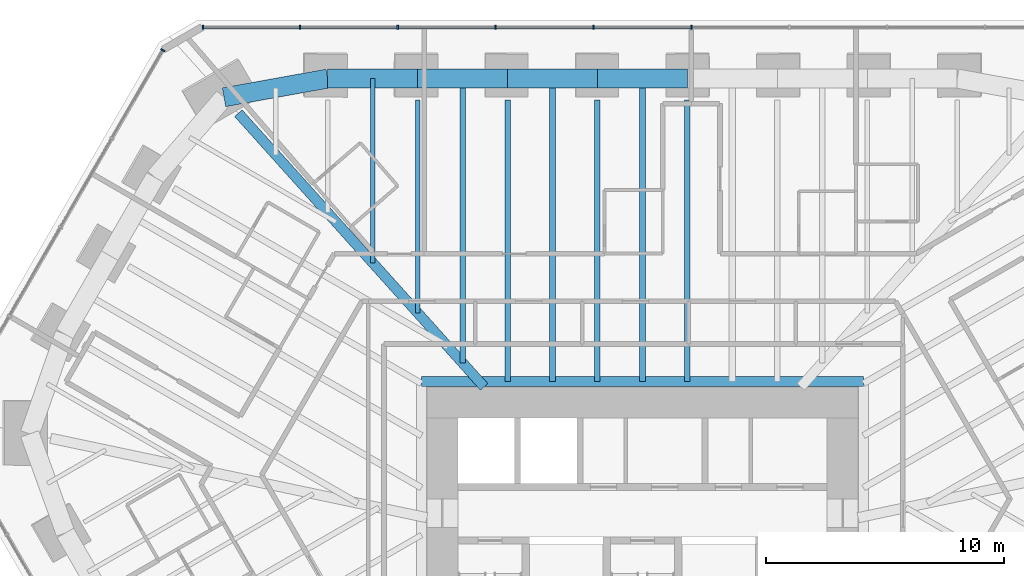
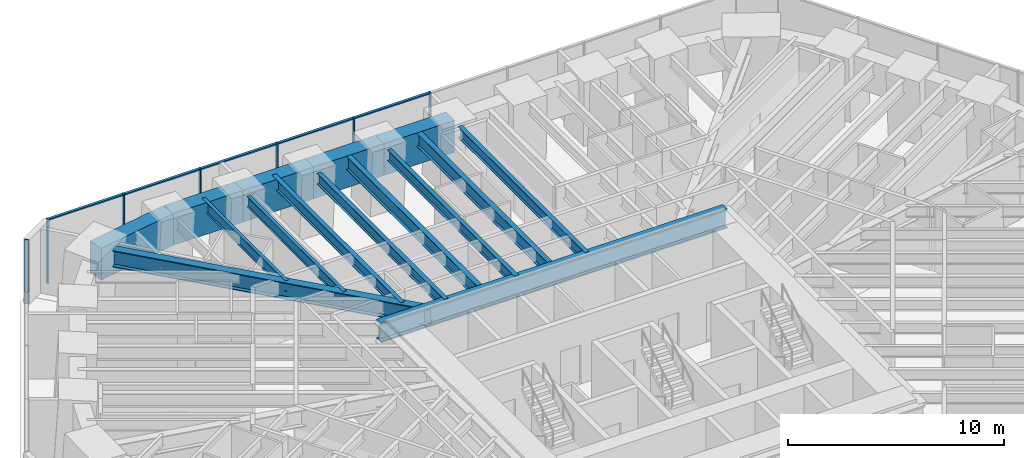
# One storey, part 8 of 17: 15 beams, 12 members, 2 elements without a shape of their own.
"""IFC4 building model written with IfcOpenShell, lengths in metres."""

from ifc_helpers import new_model, si_unit, direction, frame, origin, origin_2d, place, context, subcontext, project, spatial, rectangle, i_section, extrude, material, material_profile, profile_set, type_object, element, aggregate, save


model = new_model("IFC4")

# Units and contexts
model_context = context("Model", 3, precision=1e-05, world=origin(), true_north=direction((0.0, 1.0)))
body_context = subcontext(model_context, "Body", "Model", "MODEL_VIEW")
ifc_project = project(units=[si_unit("LENGTHUNIT", "METRE"), si_unit("AREAUNIT", "SQUARE_METRE"), si_unit("VOLUMEUNIT", "CUBIC_METRE"), si_unit("PLANEANGLEUNIT", "RADIAN"), si_unit("MASSUNIT", "GRAM", prefix="KILO")], contexts=[model_context])

# Site, building, storey
site_placement = place(None, origin())
site = spatial("IfcSite", under=ifc_project, at=site_placement, CompositionType="ELEMENT")
building_placement = place(site_placement, origin())
building = spatial("IfcBuilding", under=site, at=building_placement, Name="Sandreach Pilgrim Tower", CompositionType="ELEMENT")
storey_placement = place(building_placement, frame((0.0, 0.0, 165.199951171875)))
storey = spatial("IfcBuildingStorey", under=building, at=storey_placement, Name="L41", CompositionType="ELEMENT", Elevation=165.199951171875)

# Curtain wall, members
ifc_material_1 = material(Name="Aluminium framed curtain wall", Category="aluminium")
curtain_wall_type = type_object("IfcCurtainWallType", Name="Hotel tower curtain wall", PredefinedType="NOTDEFINED", material=ifc_material_1)
curtain_wall_1_placement = place(storey_placement, origin())
curtain_wall_1 = element("IfcCurtainWall", 1, at=curtain_wall_1_placement, inside=storey, type_object=curtain_wall_type, Name="CW-2 L41 N", PredefinedType="NOTDEFINED")
ifc_material_2 = material(Name="Aluminium extrusion", Category="aluminium")
ifc_material_profile_1 = material_profile(ifc_material_2, rectangle(XDim=0.06494140625, YDim=0.179931640625, at=origin_2d()), Name="CW-2M 65X180")
ifc_profile_set_1 = profile_set([ifc_material_profile_1], Name="Aluminium extrusion")
member_type_1 = type_object("IfcMemberType", Name="CW-2 mullion", PredefinedType="MULLION", material=ifc_profile_set_1)
member_1_placement = place(storey_placement, frame((-18.448974609375, 22.493896484375, 0.0), z_axis=(0.0, 0.0, 1.0), x_axis=(1.0, 0.0, 0.0)))
member_1 = element("IfcMember", 2, at=member_1_placement, type_object=member_type_1, Name="CW-2 mullion 1", PredefinedType="MULLION", context=body_context, shape_type="SweptSolid", body=[
    extrude(rectangle(XDim=0.06494140625, YDim=0.179931640625, at=origin_2d()), origin(), (0.0, 0.0, 1.0), 3.64013671875),
])
member_2_placement = place(storey_placement, frame((-14.37451171875, 22.493896484375, 0.0), z_axis=(0.0, 0.0, 1.0), x_axis=(1.0, 0.0, 0.0)))
member_2 = element("IfcMember", 3, at=member_2_placement, type_object=member_type_1, Name="CW-2 mullion 2", PredefinedType="MULLION", context=body_context, shape_type="SweptSolid", body=[
    extrude(rectangle(XDim=0.06494140625, YDim=0.179931640625, at=origin_2d()), origin(), (0.0, 0.0, 1.0), 3.64013671875),
])
member_3_placement = place(storey_placement, frame((-10.267333984375, 22.493896484375, 0.0), z_axis=(0.0, 0.0, 1.0), x_axis=(1.0, 0.0, 0.0)))
member_3 = element("IfcMember", 4, at=member_3_placement, type_object=member_type_1, Name="CW-2 mullion 3", PredefinedType="MULLION", context=body_context, shape_type="SweptSolid", body=[
    extrude(rectangle(XDim=0.06494140625, YDim=0.179931640625, at=origin_2d()), origin(), (0.0, 0.0, 1.0), 3.64013671875),
])
member_4_placement = place(storey_placement, frame((-6.160400390625, 22.493896484375, 0.0), z_axis=(0.0, 0.0, 1.0), x_axis=(1.0, 0.0, 0.0)))
member_4 = element("IfcMember", 5, at=member_4_placement, type_object=member_type_1, Name="CW-2 mullion 4", PredefinedType="MULLION", context=body_context, shape_type="SweptSolid", body=[
    extrude(rectangle(XDim=0.06494140625, YDim=0.179931640625, at=origin_2d()), origin(), (0.0, 0.0, 1.0), 3.64013671875),
])
member_5_placement = place(storey_placement, frame((-2.053466796875, 22.493896484375, 0.0), z_axis=(0.0, 0.0, 1.0), x_axis=(1.0, 0.0, 0.0)))
member_5 = element("IfcMember", 6, at=member_5_placement, type_object=member_type_1, Name="CW-2 mullion 5", PredefinedType="MULLION", context=body_context, shape_type="SweptSolid", body=[
    extrude(rectangle(XDim=0.06494140625, YDim=0.179931640625, at=origin_2d()), origin(), (0.0, 0.0, 1.0), 3.64013671875),
])
member_6_placement = place(storey_placement, frame((2.053466796875, 22.493896484375, 0.0), z_axis=(0.0, 0.0, 1.0), x_axis=(1.0, 0.0, 0.0)))
member_6 = element("IfcMember", 7, at=member_6_placement, type_object=member_type_1, Name="CW-2 mullion 6", PredefinedType="MULLION", context=body_context, shape_type="SweptSolid", body=[
    extrude(rectangle(XDim=0.06494140625, YDim=0.179931640625, at=origin_2d()), origin(), (0.0, 0.0, 1.0), 3.64013671875),
])

# Curtain wall, member
curtain_wall_2_placement = place(storey_placement, origin())
curtain_wall_2 = element("IfcCurtainWall", 8, at=curtain_wall_2_placement, inside=storey, type_object=curtain_wall_type, Name="CW-2 L41 NW", PredefinedType="NOTDEFINED")
member_7_placement = place(storey_placement, frame((-20.125732421875, 21.525634765625, 0.0), z_axis=(0.0, 0.0, 1.0), x_axis=(0.5, 0.866025403784, 0.0)))
member_7 = element("IfcMember", 9, at=member_7_placement, type_object=member_type_1, Name="CW-2 mullion 5", PredefinedType="MULLION", context=body_context, shape_type="SweptSolid", body=[
    extrude(rectangle(XDim=0.06494140625, YDim=0.179931640625, at=origin_2d()), origin(), (0.0, 0.0, 1.0), 3.64013671875),
])
aggregate(curtain_wall_2, [member_7])

# Member
ifc_material_3 = material(Name="Aluminium extrusion", Category="aluminium")
ifc_material_profile_2 = material_profile(ifc_material_3, rectangle(XDim=0.139892578125, YDim=0.070068359375, at=origin_2d()), Name="CW-2T 140X70")
ifc_profile_set_2 = profile_set([ifc_material_profile_2], Name="Aluminium extrusion")
member_type_2 = type_object("IfcMemberType", Name="CW-2 transom", PredefinedType="USERDEFINED", material=ifc_profile_set_2)
member_8_placement = place(storey_placement, frame((-18.416259765625, 22.493896484375, 3.60498046875), z_axis=(1.0, 0.0, 0.0), x_axis=(0.0, 1.0, 0.0)))
member_8 = element("IfcMember", 10, at=member_8_placement, type_object=member_type_2, Name="CW-2 head transom 1", ObjectType="TRANSOM", PredefinedType="USERDEFINED", context=body_context, shape_type="SweptSolid", body=[
    extrude(rectangle(XDim=0.139892578125, YDim=0.070068359375, at=origin_2d()), origin(), (0.0, 0.0, 1.0), 4.00927734375),
])

member_9_placement = place(storey_placement, frame((-14.341796875, 22.493896484375, 3.60498046875), z_axis=(1.0, 0.0, 0.0), x_axis=(0.0, 1.0, 0.0)))
member_9 = element("IfcMember", 11, at=member_9_placement, type_object=member_type_2, Name="CW-2 head transom 2", ObjectType="TRANSOM", PredefinedType="USERDEFINED", context=body_context, shape_type="SweptSolid", body=[
    extrude(rectangle(XDim=0.139892578125, YDim=0.070068359375, at=origin_2d()), origin(), (0.0, 0.0, 1.0), 4.041748046875),
])

member_10_placement = place(storey_placement, frame((-10.23486328125, 22.493896484375, 3.60498046875), z_axis=(1.0, 0.0, 0.0), x_axis=(0.0, 1.0, 0.0)))
member_10 = element("IfcMember", 12, at=member_10_placement, type_object=member_type_2, Name="CW-2 head transom 3", ObjectType="TRANSOM", PredefinedType="USERDEFINED", context=body_context, shape_type="SweptSolid", body=[
    extrude(rectangle(XDim=0.139892578125, YDim=0.070068359375, at=origin_2d()), origin(), (0.0, 0.0, 1.0), 4.0419921875),
])

member_11_placement = place(storey_placement, frame((-6.1279296875, 22.493896484375, 3.60498046875), z_axis=(1.0, 0.0, 0.0), x_axis=(0.0, 1.0, 0.0)))
member_11 = element("IfcMember", 13, at=member_11_placement, type_object=member_type_2, Name="CW-2 head transom 4", ObjectType="TRANSOM", PredefinedType="USERDEFINED", context=body_context, shape_type="SweptSolid", body=[
    extrude(rectangle(XDim=0.139892578125, YDim=0.070068359375, at=origin_2d()), origin(), (0.0, 0.0, 1.0), 4.0419921875),
])

member_12_placement = place(storey_placement, frame((-2.02099609375, 22.493896484375, 3.60498046875), z_axis=(1.0, 0.0, 0.0), x_axis=(0.0, 1.0, 0.0)))
member_12 = element("IfcMember", 14, at=member_12_placement, type_object=member_type_2, Name="CW-2 head transom 5", ObjectType="TRANSOM", PredefinedType="USERDEFINED", context=body_context, shape_type="SweptSolid", body=[
    extrude(rectangle(XDim=0.139892578125, YDim=0.070068359375, at=origin_2d()), origin(), (0.0, 0.0, 1.0), 4.0419921875),
])

aggregate(curtain_wall_1, [member_1, member_2, member_3, member_4, member_5, member_6, member_8, member_9, member_10, member_11, member_12])

# Beams
ifc_material_4 = material(Name="Steel ASTM A992 Grade 50", Category="steel")
ifc_material_profile_3 = material_profile(ifc_material_4, i_section(OverallWidth=0.424072265625, OverallDepth=1.09228515625, WebThickness=0.04541015625, FlangeThickness=0.08203125, at=origin_2d()), Name="W40X593")
ifc_profile_set_3 = profile_set([ifc_material_profile_3], Name="Steel ASTM A992 Grade 50")
beam_type_1 = type_object("IfcBeamType", Name="Core edge beam W40X593", PredefinedType="BEAM", material=ifc_profile_set_3)
beam_1_placement = place(storey_placement, frame((-9.27197265625, 7.6220703125, 3.093994140625), z_axis=(1.0, 0.0, 0.0), x_axis=(0.0, 1.0, 0.0)))
element("IfcBeam", 15, at=beam_1_placement, inside=storey, type_object=beam_type_1, Name="BM L41 CEN", PredefinedType="BEAM", context=body_context, shape_type="SweptSolid", body=[
    extrude(i_section(OverallWidth=0.424072265625, OverallDepth=1.09228515625, WebThickness=0.04541015625, FlangeThickness=0.08203125, at=origin_2d()), origin(), (0.0, 0.0, 1.0), 18.5439453125),
])
ifc_material_5 = material(Name="Steel ASTM A992 Grade 50", Category="steel")
ifc_material_profile_4 = material_profile(ifc_material_5, i_section(OverallWidth=0.421630859375, OverallDepth=0.937255859375, WebThickness=0.0224609375, FlangeThickness=0.039794921875, at=origin_2d()), Name="W36X282")
ifc_profile_set_4 = profile_set([ifc_material_profile_4], Name="Steel ASTM A992 Grade 50")
beam_type_2 = type_object("IfcBeamType", Name="Corner girder W36X282", PredefinedType="BEAM", material=ifc_profile_set_4)
beam_2_placement = place(storey_placement, frame((-16.95556640625, 18.8828125, 3.17138671875), z_axis=(0.668111253631, -0.744061390459, 0.0), x_axis=(0.744061390459, 0.668111253631, 0.0)))
element("IfcBeam", 16, at=beam_2_placement, inside=storey, type_object=beam_type_2, Name="BM L41 CG39", PredefinedType="BEAM", context=body_context, shape_type="SweptSolid", body=[
    extrude(i_section(OverallWidth=0.421630859375, OverallDepth=0.937255859375, WebThickness=0.0224609375, FlangeThickness=0.039794921875, at=origin_2d()), origin(), (0.0, 0.0, 1.0), 15.432861328125),
])
ifc_material_6 = material(Name="Steel ASTM A992 Grade 50", Category="steel")
ifc_material_profile_5 = material_profile(ifc_material_6, i_section(OverallWidth=0.1787109375, OverallDepth=0.60205078125, WebThickness=0.010986328125, FlangeThickness=0.014892578125, at=origin_2d()), Name="W24X62")
ifc_profile_set_5 = profile_set([ifc_material_profile_5], Name="Steel ASTM A992 Grade 50")
beam_type_3 = type_object("IfcBeamType", Name="Floor beam W24X62", PredefinedType="BEAM", material=ifc_profile_set_5)
beam_3_placement = place(storey_placement, frame((-9.43310546875, 19.435302734375, 3.339111328125), z_axis=(0.0, -1.0, 0.0), x_axis=(1.0, 0.0, 0.0)))
element("IfcBeam", 17, at=beam_3_placement, inside=storey, type_object=beam_type_3, Name="BM L41 F02", PredefinedType="BEAM", context=body_context, shape_type="SweptSolid", body=[
    extrude(i_section(OverallWidth=0.1787109375, OverallDepth=0.60205078125, WebThickness=0.010986328125, FlangeThickness=0.014892578125, at=origin_2d()), origin(), (0.0, 0.0, 1.0), 8.93017578125),
])
beam_4_placement = place(storey_placement, frame((-11.319580078125, 20.335205078125, 3.339111328125), z_axis=(0.0, -1.0, 0.0), x_axis=(1.0, 0.0, 0.0)))
element("IfcBeam", 18, at=beam_4_placement, inside=storey, type_object=beam_type_3, Name="BM L41 FM01", PredefinedType="BEAM", context=body_context, shape_type="SweptSolid", body=[
    extrude(i_section(OverallWidth=0.1787109375, OverallDepth=0.60205078125, WebThickness=0.010986328125, FlangeThickness=0.014892578125, at=origin_2d()), origin(), (0.0, 0.0, 1.0), 7.72900390625),
])
ifc_material_7 = material(Name="Steel ASTM A992 Grade 50", Category="steel")
ifc_material_profile_6 = material_profile(ifc_material_7, i_section(OverallWidth=0.23046875, OverallDepth=0.6171875, WebThickness=0.01318359375, FlangeThickness=0.022216796875, at=origin_2d()), Name="W24X94")
ifc_profile_set_6 = profile_set([ifc_material_profile_6], Name="Steel ASTM A992 Grade 50")
beam_type_4 = type_object("IfcBeamType", Name="Floor beam W24X94", PredefinedType="BEAM", material=ifc_profile_set_6)
for number, where, z_axis, x_axis, name in (
    (19, (-5.659912109375, 19.435302734375, 3.33154296875), (0.0, -1.0, 0.0), (1.0, 0.0, 0.0), "BM L41 F03"),
    (20, (-1.88671875, 19.435302734375, 3.33154296875), (0.0, -1.0, 0.0), (1.0, 0.0, 0.0), "BM L41 F04"),
    (21, (1.88671875, 19.435302734375, 3.33154296875), (0.0, -1.0, 0.0), (1.0, 0.0, 0.0), "BM L41 F05"),
):
    element("IfcBeam", number, at=place(storey_placement, frame(where, z_axis=z_axis, x_axis=x_axis)), inside=storey, type_object=beam_type_4, Name=name, PredefinedType="BEAM", context=body_context, shape_type="SweptSolid", body=[
        extrude(i_section(OverallWidth=0.23046875, OverallDepth=0.6171875, WebThickness=0.01318359375, FlangeThickness=0.022216796875, at=origin_2d()), origin(), (0.0, 0.0, 1.0), 11.813232421875),
    ])
beam_5_placement = place(storey_placement, frame((-7.54638671875, 20.335205078125, 3.33154296875), z_axis=(0.0, -1.0, 0.0), x_axis=(1.0, 0.0, 0.0)))
element("IfcBeam", 22, at=beam_5_placement, inside=storey, type_object=beam_type_4, Name="BM L41 FM02", PredefinedType="BEAM", context=body_context, shape_type="SweptSolid", body=[
    extrude(i_section(OverallWidth=0.23046875, OverallDepth=0.6171875, WebThickness=0.01318359375, FlangeThickness=0.022216796875, at=origin_2d()), origin(), (0.0, 0.0, 1.0), 11.930908203125),
])
ifc_material_8 = material(Name="Steel ASTM A992 Grade 50", Category="steel")
ifc_material_profile_7 = material_profile(ifc_material_8, i_section(OverallWidth=0.2666015625, OverallDepth=0.761962890625, WebThickness=0.014404296875, FlangeThickness=0.021484375, at=origin_2d()), Name="W30X116")
ifc_profile_set_7 = profile_set([ifc_material_profile_7], Name="Steel ASTM A992 Grade 50")
beam_type_5 = type_object("IfcBeamType", Name="Floor beam W30X116", PredefinedType="BEAM", material=ifc_profile_set_7)
for number, where, z_axis, x_axis, name in (
    (23, (-3.773193359375, 20.335205078125, 3.259033203125), (0.0, -1.0, 0.0), (1.0, 0.0, 0.0), "BM L41 FM03"),
    (24, (0.0, 20.335205078125, 3.259033203125), (0.0, -1.0, 0.0), (1.0, 0.0, 0.0), "BM L41 FM04"),
):
    element("IfcBeam", number, at=place(storey_placement, frame(where, z_axis=z_axis, x_axis=x_axis)), inside=storey, type_object=beam_type_5, Name=name, PredefinedType="BEAM", context=body_context, shape_type="SweptSolid", body=[
        extrude(i_section(OverallWidth=0.2666015625, OverallDepth=0.761962890625, WebThickness=0.014404296875, FlangeThickness=0.021484375, at=origin_2d()), origin(), (0.0, 0.0, 1.0), 12.713134765625),
    ])
ifc_material_9 = material(Name="Concrete 10000 psi", Category="concrete")
ifc_material_profile_8 = material_profile(ifc_material_9, rectangle(XDim=0.800048828125, YDim=1.800048828125, at=origin_2d()), Name="RC800X1800")
ifc_profile_set_8 = profile_set([ifc_material_profile_8], Name="Concrete 10000 psi")
beam_type_6 = type_object("IfcBeamType", Name="Spandrel beam RC800X1800", PredefinedType="SPANDREL", material=ifc_profile_set_8)
for number, where, z_axis, x_axis, name in (
    (25, (-13.206298828125, 20.335205078125, 2.739990234375), (1.0, 0.0, 0.0), (0.0, 1.0, 0.0), "BM L41 SP01"),
    (26, (-9.43310546875, 20.335205078125, 2.739990234375), (1.0, 0.0, 0.0), (0.0, 1.0, 0.0), "BM L41 SP02"),
    (27, (-5.659912109375, 20.335205078125, 2.739990234375), (1.0, 0.0, 0.0), (0.0, 1.0, 0.0), "BM L41 SP03"),
):
    element("IfcBeam", number, at=place(storey_placement, frame(where, z_axis=z_axis, x_axis=x_axis)), inside=storey, type_object=beam_type_6, Name=name, PredefinedType="SPANDREL", context=body_context, shape_type="SweptSolid", body=[
        extrude(rectangle(XDim=0.800048828125, YDim=1.800048828125, at=origin_2d()), origin(), (0.0, 0.0, 1.0), 3.773193359375),
    ])
beam_6_placement = place(storey_placement, frame((-1.88671875, 20.335205078125, 2.739990234375), z_axis=(1.0, 0.0, 0.0), x_axis=(0.0, 1.0, 0.0)))
element("IfcBeam", 28, at=beam_6_placement, inside=storey, type_object=beam_type_6, Name="BM L41 SP04", PredefinedType="SPANDREL", context=body_context, shape_type="SweptSolid", body=[
    extrude(rectangle(XDim=0.800048828125, YDim=1.800048828125, at=origin_2d()), origin(), (0.0, 0.0, 1.0), 3.7734375),
])
beam_7_placement = place(storey_placement, frame((-17.556884765625, 19.552490234375, 2.739990234375), z_axis=(0.984198727305, 0.177067402903, 0.0), x_axis=(-0.177067402903, 0.984198727305, 0.0)))
element("IfcBeam", 29, at=beam_7_placement, inside=storey, type_object=beam_type_6, Name="BM L41 SP39", PredefinedType="SPANDREL", context=body_context, shape_type="SweptSolid", body=[
    extrude(rectangle(XDim=0.800048828125, YDim=1.800048828125, at=origin_2d()), origin(), (0.0, 0.0, 1.0), 4.42041015625),
])

save(model, "model.ifc")
